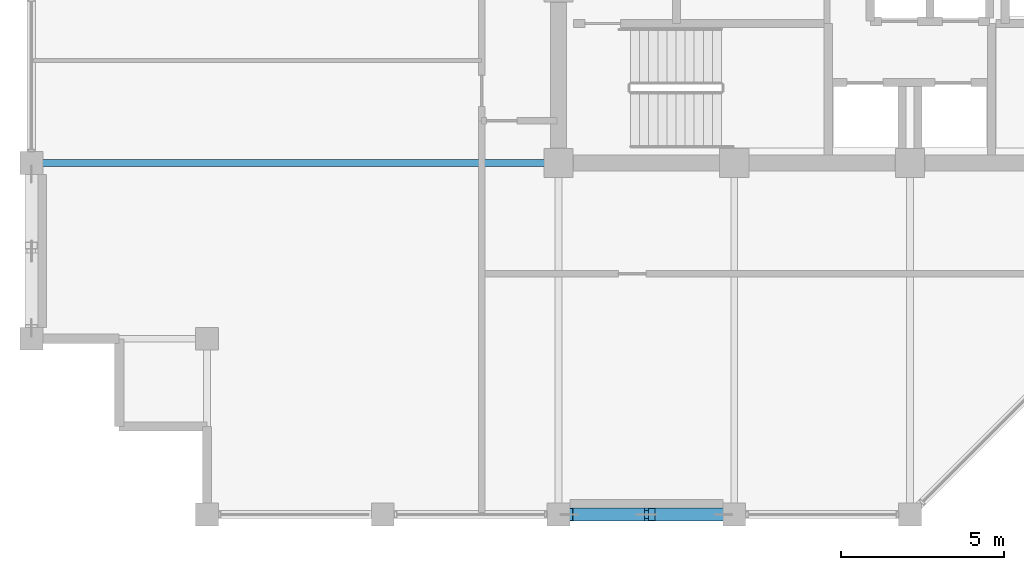
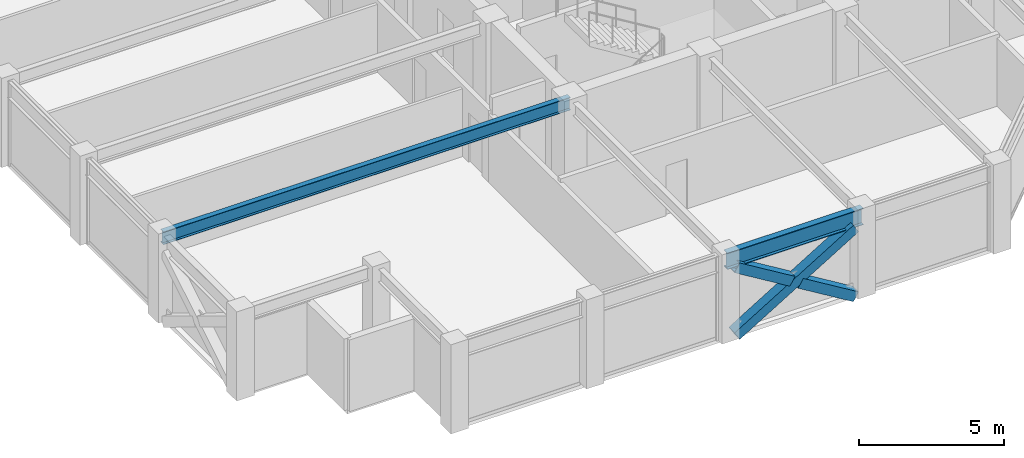
# One storey, part 5 of 31: 3 members, 2 beams.
"""IFC4 building model written with IfcOpenShell, lengths in metres."""

from ifc_helpers import new_model, si_unit, direction, frame, origin, origin_2d, place, context, subcontext, project, spatial, hollow_rectangle, i_section, extrude, material, material_profile, profile_set, type_object, element, save


model = new_model("IFC4")

# Units and contexts
model_context = context("Model", 3, precision=1e-05, world=origin(), true_north=direction((0.0, 1.0)))
body_context = subcontext(model_context, "Body", "Model", "MODEL_VIEW")
ifc_project = project(units=[si_unit("LENGTHUNIT", "METRE"), si_unit("AREAUNIT", "SQUARE_METRE"), si_unit("VOLUMEUNIT", "CUBIC_METRE"), si_unit("PLANEANGLEUNIT", "RADIAN"), si_unit("MASSUNIT", "GRAM", prefix="KILO")], contexts=[model_context])

# Site, building, storey
site_placement = place(None, origin())
site = spatial("IfcSite", under=ifc_project, at=site_placement, CompositionType="ELEMENT")
building_placement = place(site_placement, origin())
building = spatial("IfcBuilding", under=site, at=building_placement, Name="Surkhivell Harbour Commons", CompositionType="ELEMENT")
storey_placement = place(building_placement, frame((0.0, 0.0, 285.0)))
storey = spatial("IfcBuildingStorey", under=building, at=storey_placement, Name="L74", CompositionType="ELEMENT", Elevation=285.0)

# Beams
ifc_material_1 = material(Name="Steel S355", Category="steel")
ifc_material_profile_1 = material_profile(ifc_material_1, i_section(OverallWidth=0.2099609375, OverallDepth=0.537109375, WebThickness=0.0107421875, FlangeThickness=0.017333984375, at=origin_2d()), Name="UB533x210x101")
ifc_profile_set_1 = profile_set([ifc_material_profile_1], Name="Steel S355")
beam_type_1 = type_object("IfcBeamType", Name="BM-GRD-533B", PredefinedType="BEAM", material=ifc_profile_set_1)
beam_1_placement = place(storey_placement, frame((-27.0, -10.800048828125, 3.301513671875), z_axis=(1.0, 0.0, 0.0), x_axis=(0.0, 1.0, 0.0)))
element("IfcBeam", 1, at=beam_1_placement, inside=storey, type_object=beam_type_1, Name="L74 Floor Girder (-27.0,-10.8)", PredefinedType="BEAM", context=body_context, shape_type="SweptSolid", body=[
    extrude(i_section(OverallWidth=0.2099609375, OverallDepth=0.537109375, WebThickness=0.0107421875, FlangeThickness=0.017333984375, at=origin_2d()), origin(), (0.0, 0.0, 1.0), 16.199951171875),
])
ifc_material_profile_2 = material_profile(ifc_material_1, i_section(OverallWidth=0.256103515625, OverallDepth=0.693115234375, WebThickness=0.014404296875, FlangeThickness=0.023681640625, at=origin_2d()), Name="UB686x254x170")
ifc_profile_set_2 = profile_set([ifc_material_profile_2], Name="Steel S355")
beam_type_2 = type_object("IfcBeamType", Name="BM-SPN-686", PredefinedType="SPANDREL", material=ifc_profile_set_2)
beam_2_placement = place(storey_placement, frame((-10.800048828125, -21.60009765625, 3.223388671875), z_axis=(1.0, 0.0, 0.0), x_axis=(0.0, 1.0, 0.0)))
element("IfcBeam", 2, at=beam_2_placement, inside=storey, type_object=beam_type_2, Name="L74 Tube Spandrel (-10.8,-21.6)", PredefinedType="SPANDREL", context=body_context, shape_type="SweptSolid", body=[
    extrude(i_section(OverallWidth=0.256103515625, OverallDepth=0.693115234375, WebThickness=0.014404296875, FlangeThickness=0.023681640625, at=origin_2d()), origin(), (0.0, 0.0, 1.0), 5.400146484375),
])

# Members
ifc_material_2 = material(Name="Steel S460", Category="steel")
ifc_material_profile_3 = material_profile(ifc_material_2, hollow_rectangle(XDim=0.39990234375, YDim=0.39990234375, WallThickness=0.02001953125, at=origin_2d()), Name="SHS400x400x20")
ifc_profile_set_3 = profile_set([ifc_material_profile_3], Name="Steel S460")
member_type = type_object("IfcMemberType", Name="MEM-BRC-SHS400", PredefinedType="BRACE", material=ifc_profile_set_3)
member_1_placement = place(storey_placement, frame((-10.465087890625, -21.60009765625, 0.008056640625), z_axis=(0.854685454322, 0.0, 0.519146197299), x_axis=(0.0, 1.0, 0.0)))
element("IfcMember", 3, at=member_1_placement, inside=storey, type_object=member_type, Name="L74 Perimeter Mega-Brace MB- 07", PredefinedType="BRACE", context=body_context, shape_type="SweptSolid", body=[
    extrude(hollow_rectangle(XDim=0.39990234375, YDim=0.39990234375, WallThickness=0.02001953125, at=origin_2d()), origin(), (0.0, 0.0, 1.0), 5.5341796875),
])
member_2_placement = place(storey_placement, frame((-5.735107421875, -21.60009765625, 0.008056640625), z_axis=(-0.854694361898, 0.0, 0.519131532215), x_axis=(0.0, -1.0, 0.0)))
element("IfcMember", 4, at=member_2_placement, inside=storey, type_object=member_type, Name="L74 Perimeter Mega-Brace MB- 08", PredefinedType="BRACE", context=body_context, shape_type="SweptSolid", body=[
    extrude(hollow_rectangle(XDim=0.39990234375, YDim=0.39990234375, WallThickness=0.02001953125, at=origin_2d()), origin(), (0.0, 0.0, 1.0), 2.57470703125),
])
member_3_placement = place(storey_placement, frame((-8.26416015625, -21.60009765625, 1.544189453125), z_axis=(-0.854677846108, 0.0, 0.519158722716), x_axis=(0.0, -1.0, 0.0)))
element("IfcMember", 5, at=member_3_placement, inside=storey, type_object=member_type, Name="L74 Perimeter Mega-Brace MB- 09", PredefinedType="BRACE", context=body_context, shape_type="SweptSolid", body=[
    extrude(hollow_rectangle(XDim=0.39990234375, YDim=0.39990234375, WallThickness=0.02001953125, at=origin_2d()), origin(), (0.0, 0.0, 1.0), 2.5751953125),
])

save(model, "model.ifc")
